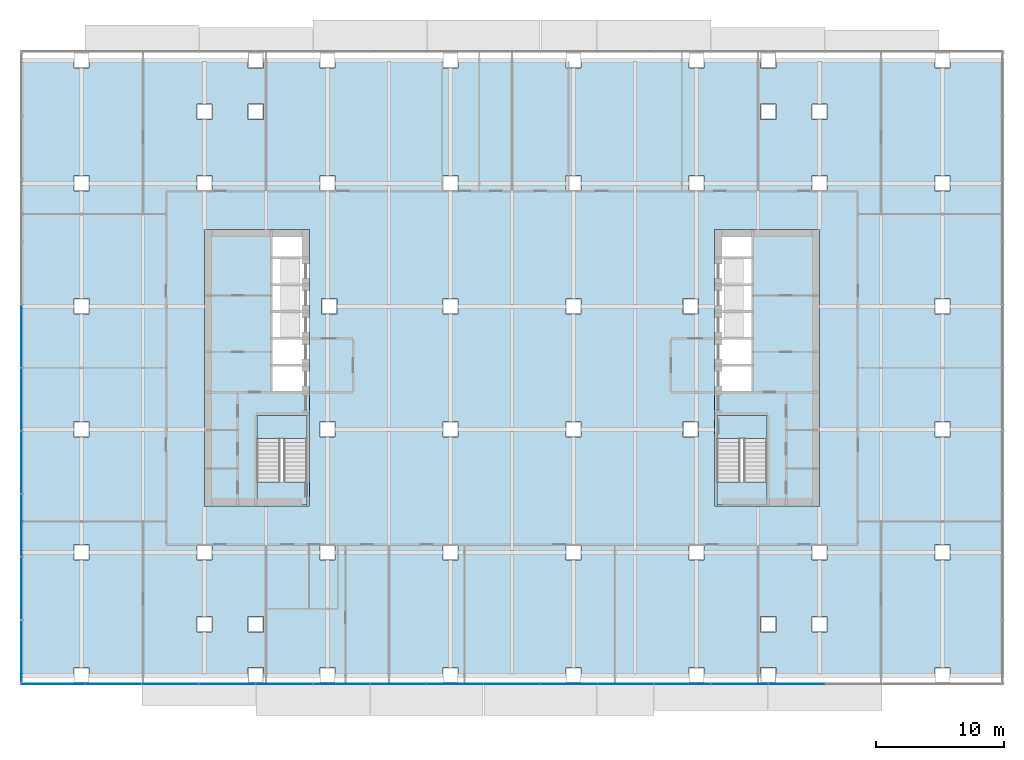
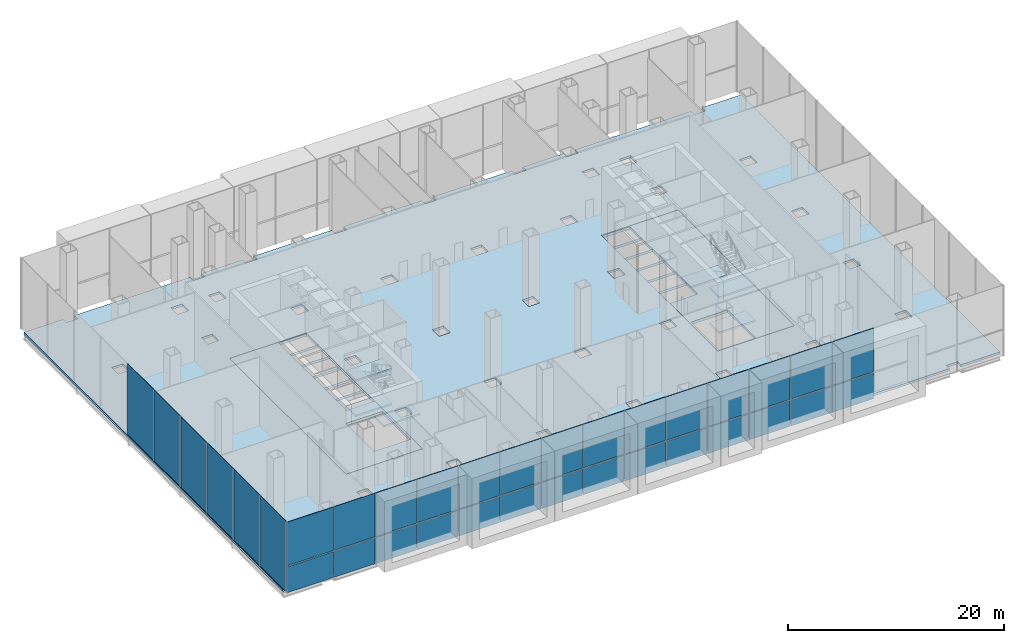
# One storey, part 13 of 24: 34 plates, 9 slabs, 4 elements without a shape of their own.
"""IFC4 building model written with IfcOpenShell, lengths in metres."""

from ifc_helpers import new_model, si_unit, direction, frame, origin, origin_2d, place, context, subcontext, project, spatial, polyline, rectangle, outline, extrude, material, layer, layer_set, type_object, element, aggregate, save


model = new_model("IFC4")

# Units and contexts
model_context = context("Model", 3, precision=1e-05, world=origin(), true_north=direction((0.0, 1.0)))
body_context = subcontext(model_context, "Body", "Model", "MODEL_VIEW")
ifc_project = project(units=[si_unit("LENGTHUNIT", "METRE"), si_unit("AREAUNIT", "SQUARE_METRE"), si_unit("VOLUMEUNIT", "CUBIC_METRE"), si_unit("PLANEANGLEUNIT", "RADIAN"), si_unit("MASSUNIT", "GRAM", prefix="KILO")], contexts=[model_context])

# Site, building, storey
site_placement = place(None, origin())
site = spatial("IfcSite", under=ifc_project, at=site_placement, CompositionType="ELEMENT")
building_placement = place(site_placement, origin())
building = spatial("IfcBuilding", under=site, at=building_placement, Name="Cobrizo Arcos Hotel Tower", CompositionType="ELEMENT")
storey_placement = place(building_placement, frame((0.0, 0.0, 7.5)))
storey = spatial("IfcBuildingStorey", under=building, at=storey_placement, Name="L01", CompositionType="ELEMENT", Elevation=7.5)

# Curtain wall, plates
ifc_material_1 = material(Name="Aluminium 6063-T6 anodised bronze", Category="aluminium")
curtain_wall_type_1 = type_object("IfcCurtainWallType", Name="CW-A guest facade", PredefinedType="NOTDEFINED", material=ifc_material_1)
curtain_wall_1_placement = place(storey_placement, origin())
curtain_wall_1 = element("IfcCurtainWall", 1, at=curtain_wall_1_placement, inside=storey, type_object=curtain_wall_type_1, Name="CW-A L01 S face", PredefinedType="NOTDEFINED")
ifc_material_2 = material(Name="Glass clear laminated low-e", Category="glass")
ifc_layer_1 = layer(ifc_material_2, 0.0400390625)
ifc_layer_set_1 = layer_set([ifc_layer_1], Name="CW-A glass panel")
plate_type_1 = type_object("IfcPlateType", Name="CW-A glass panel", PredefinedType="CURTAIN_PANEL", material=ifc_layer_set_1)
plate_1_placement = place(storey_placement, frame((-35.839111328125, -24.675048828125, 0.0), z_axis=(0.0, 0.0, 1.0), x_axis=(1.0, 0.0, 0.0)))
plate_1 = element("IfcPlate", 2, at=plate_1_placement, type_object=plate_type_1, Name="CW-A glass panel 90", PredefinedType="CURTAIN_PANEL", context=body_context, shape_type="SweptSolid", body=[
    extrude(rectangle(XDim=4.95166015625, YDim=0.0400390625, at=origin_2d()), origin(), (0.0, 0.0, 1.0), 2.93994140625),
])
plate_2_placement = place(storey_placement, frame((-35.839111328125, -24.675048828125, 3.06005859375), z_axis=(0.0, 0.0, 1.0), x_axis=(1.0, 0.0, 0.0)))
plate_2 = element("IfcPlate", 3, at=plate_2_placement, type_object=plate_type_1, Name="CW-A glass panel 90", PredefinedType="CURTAIN_PANEL", context=body_context, shape_type="SweptSolid", body=[
    extrude(rectangle(XDim=4.95166015625, YDim=0.0400390625, at=origin_2d()), origin(), (0.0, 0.0, 1.0), 4.93994140625),
])
plate_3_placement = place(storey_placement, frame((-31.111083984375, -24.675048828125, 0.0), z_axis=(0.0, 0.0, 1.0), x_axis=(1.0, 0.0, 0.0)))
plate_3 = element("IfcPlate", 4, at=plate_3_placement, type_object=plate_type_1, Name="CW-A glass panel 91", PredefinedType="CURTAIN_PANEL", context=body_context, shape_type="SweptSolid", body=[
    extrude(rectangle(XDim=4.384521484375, YDim=0.0400390625, at=origin_2d()), origin(), (0.0, 0.0, 1.0), 2.93994140625),
])
plate_4_placement = place(storey_placement, frame((-31.111083984375, -24.675048828125, 3.06005859375), z_axis=(0.0, 0.0, 1.0), x_axis=(1.0, 0.0, 0.0)))
plate_4 = element("IfcPlate", 5, at=plate_4_placement, type_object=plate_type_1, Name="CW-A glass panel 91", PredefinedType="CURTAIN_PANEL", context=body_context, shape_type="SweptSolid", body=[
    extrude(rectangle(XDim=4.384521484375, YDim=0.0400390625, at=origin_2d()), origin(), (0.0, 0.0, 1.0), 4.93994140625),
])
plate_5_placement = place(storey_placement, frame((-26.666748046875, -24.675048828125, 0.0), z_axis=(0.0, 0.0, 1.0), x_axis=(1.0, 0.0, 0.0)))
plate_5 = element("IfcPlate", 6, at=plate_5_placement, type_object=plate_type_1, Name="CW-A glass panel 92", PredefinedType="CURTAIN_PANEL", context=body_context, shape_type="SweptSolid", body=[
    extrude(rectangle(XDim=4.384521484375, YDim=0.0400390625, at=origin_2d()), origin(), (0.0, 0.0, 1.0), 2.93994140625),
])
plate_6_placement = place(storey_placement, frame((-26.666748046875, -24.675048828125, 3.06005859375), z_axis=(0.0, 0.0, 1.0), x_axis=(1.0, 0.0, 0.0)))
plate_6 = element("IfcPlate", 7, at=plate_6_placement, type_object=plate_type_1, Name="CW-A glass panel 92", PredefinedType="CURTAIN_PANEL", context=body_context, shape_type="SweptSolid", body=[
    extrude(rectangle(XDim=4.384521484375, YDim=0.0400390625, at=origin_2d()), origin(), (0.0, 0.0, 1.0), 4.93994140625),
])
plate_7_placement = place(storey_placement, frame((-22.22216796875, -24.675048828125, 0.0), z_axis=(0.0, 0.0, 1.0), x_axis=(1.0, 0.0, 0.0)))
plate_7 = element("IfcPlate", 8, at=plate_7_placement, type_object=plate_type_1, Name="CW-A glass panel 93", PredefinedType="CURTAIN_PANEL", context=body_context, shape_type="SweptSolid", body=[
    extrude(rectangle(XDim=4.384521484375, YDim=0.0400390625, at=origin_2d()), origin(), (0.0, 0.0, 1.0), 2.93994140625),
])
plate_8_placement = place(storey_placement, frame((-22.22216796875, -24.675048828125, 3.06005859375), z_axis=(0.0, 0.0, 1.0), x_axis=(1.0, 0.0, 0.0)))
plate_8 = element("IfcPlate", 9, at=plate_8_placement, type_object=plate_type_1, Name="CW-A glass panel 93", PredefinedType="CURTAIN_PANEL", context=body_context, shape_type="SweptSolid", body=[
    extrude(rectangle(XDim=4.384521484375, YDim=0.0400390625, at=origin_2d()), origin(), (0.0, 0.0, 1.0), 4.93994140625),
])
plate_9_placement = place(storey_placement, frame((-17.77783203125, -24.675048828125, 0.0), z_axis=(0.0, 0.0, 1.0), x_axis=(1.0, 0.0, 0.0)))
plate_9 = element("IfcPlate", 10, at=plate_9_placement, type_object=plate_type_1, Name="CW-A glass panel 94", PredefinedType="CURTAIN_PANEL", context=body_context, shape_type="SweptSolid", body=[
    extrude(rectangle(XDim=4.384521484375, YDim=0.0400390625, at=origin_2d()), origin(), (0.0, 0.0, 1.0), 2.93994140625),
])
plate_10_placement = place(storey_placement, frame((-17.77783203125, -24.675048828125, 3.06005859375), z_axis=(0.0, 0.0, 1.0), x_axis=(1.0, 0.0, 0.0)))
plate_10 = element("IfcPlate", 11, at=plate_10_placement, type_object=plate_type_1, Name="CW-A glass panel 94", PredefinedType="CURTAIN_PANEL", context=body_context, shape_type="SweptSolid", body=[
    extrude(rectangle(XDim=4.384521484375, YDim=0.0400390625, at=origin_2d()), origin(), (0.0, 0.0, 1.0), 4.93994140625),
])
plate_11_placement = place(storey_placement, frame((-13.333251953125, -24.675048828125, 0.0), z_axis=(0.0, 0.0, 1.0), x_axis=(1.0, 0.0, 0.0)))
plate_11 = element("IfcPlate", 12, at=plate_11_placement, type_object=plate_type_1, Name="CW-A glass panel 95", PredefinedType="CURTAIN_PANEL", context=body_context, shape_type="SweptSolid", body=[
    extrude(rectangle(XDim=4.384521484375, YDim=0.0400390625, at=origin_2d()), origin(), (0.0, 0.0, 1.0), 2.93994140625),
])
plate_12_placement = place(storey_placement, frame((-13.333251953125, -24.675048828125, 3.06005859375), z_axis=(0.0, 0.0, 1.0), x_axis=(1.0, 0.0, 0.0)))
plate_12 = element("IfcPlate", 13, at=plate_12_placement, type_object=plate_type_1, Name="CW-A glass panel 95", PredefinedType="CURTAIN_PANEL", context=body_context, shape_type="SweptSolid", body=[
    extrude(rectangle(XDim=4.384521484375, YDim=0.0400390625, at=origin_2d()), origin(), (0.0, 0.0, 1.0), 4.93994140625),
])
plate_13_placement = place(storey_placement, frame((-8.888916015625, -24.675048828125, 0.0), z_axis=(0.0, 0.0, 1.0), x_axis=(1.0, 0.0, 0.0)))
plate_13 = element("IfcPlate", 14, at=plate_13_placement, type_object=plate_type_1, Name="CW-A glass panel 96", PredefinedType="CURTAIN_PANEL", context=body_context, shape_type="SweptSolid", body=[
    extrude(rectangle(XDim=4.384521484375, YDim=0.0400390625, at=origin_2d()), origin(), (0.0, 0.0, 1.0), 2.93994140625),
])
plate_14_placement = place(storey_placement, frame((-8.888916015625, -24.675048828125, 3.06005859375), z_axis=(0.0, 0.0, 1.0), x_axis=(1.0, 0.0, 0.0)))
plate_14 = element("IfcPlate", 15, at=plate_14_placement, type_object=plate_type_1, Name="CW-A glass panel 96", PredefinedType="CURTAIN_PANEL", context=body_context, shape_type="SweptSolid", body=[
    extrude(rectangle(XDim=4.384521484375, YDim=0.0400390625, at=origin_2d()), origin(), (0.0, 0.0, 1.0), 4.93994140625),
])
plate_15_placement = place(storey_placement, frame((-4.4443359375, -24.675048828125, 0.0), z_axis=(0.0, 0.0, 1.0), x_axis=(1.0, 0.0, 0.0)))
plate_15 = element("IfcPlate", 16, at=plate_15_placement, type_object=plate_type_1, Name="CW-A glass panel 97", PredefinedType="CURTAIN_PANEL", context=body_context, shape_type="SweptSolid", body=[
    extrude(rectangle(XDim=4.384521484375, YDim=0.0400390625, at=origin_2d()), origin(), (0.0, 0.0, 1.0), 2.93994140625),
])
plate_16_placement = place(storey_placement, frame((-4.4443359375, -24.675048828125, 3.06005859375), z_axis=(0.0, 0.0, 1.0), x_axis=(1.0, 0.0, 0.0)))
plate_16 = element("IfcPlate", 17, at=plate_16_placement, type_object=plate_type_1, Name="CW-A glass panel 97", PredefinedType="CURTAIN_PANEL", context=body_context, shape_type="SweptSolid", body=[
    extrude(rectangle(XDim=4.384521484375, YDim=0.0400390625, at=origin_2d()), origin(), (0.0, 0.0, 1.0), 4.93994140625),
])
plate_17_placement = place(storey_placement, frame((0.0, -24.675048828125, 0.0), z_axis=(0.0, 0.0, 1.0), x_axis=(1.0, 0.0, 0.0)))
plate_17 = element("IfcPlate", 18, at=plate_17_placement, type_object=plate_type_1, Name="CW-A glass panel 98", PredefinedType="CURTAIN_PANEL", context=body_context, shape_type="SweptSolid", body=[
    extrude(rectangle(XDim=4.384521484375, YDim=0.0400390625, at=origin_2d()), origin(), (0.0, 0.0, 1.0), 2.93994140625),
])
plate_18_placement = place(storey_placement, frame((0.0, -24.675048828125, 3.06005859375), z_axis=(0.0, 0.0, 1.0), x_axis=(1.0, 0.0, 0.0)))
plate_18 = element("IfcPlate", 19, at=plate_18_placement, type_object=plate_type_1, Name="CW-A glass panel 98", PredefinedType="CURTAIN_PANEL", context=body_context, shape_type="SweptSolid", body=[
    extrude(rectangle(XDim=4.384521484375, YDim=0.0400390625, at=origin_2d()), origin(), (0.0, 0.0, 1.0), 4.93994140625),
])
plate_19_placement = place(storey_placement, frame((4.4443359375, -24.675048828125, 0.0), z_axis=(0.0, 0.0, 1.0), x_axis=(1.0, 0.0, 0.0)))
plate_19 = element("IfcPlate", 20, at=plate_19_placement, type_object=plate_type_1, Name="CW-A glass panel 99", PredefinedType="CURTAIN_PANEL", context=body_context, shape_type="SweptSolid", body=[
    extrude(rectangle(XDim=4.384521484375, YDim=0.0400390625, at=origin_2d()), origin(), (0.0, 0.0, 1.0), 2.93994140625),
])
plate_20_placement = place(storey_placement, frame((4.4443359375, -24.675048828125, 3.06005859375), z_axis=(0.0, 0.0, 1.0), x_axis=(1.0, 0.0, 0.0)))
plate_20 = element("IfcPlate", 21, at=plate_20_placement, type_object=plate_type_1, Name="CW-A glass panel 99", PredefinedType="CURTAIN_PANEL", context=body_context, shape_type="SweptSolid", body=[
    extrude(rectangle(XDim=4.384521484375, YDim=0.0400390625, at=origin_2d()), origin(), (0.0, 0.0, 1.0), 4.93994140625),
])
plate_21_placement = place(storey_placement, frame((8.888916015625, -24.675048828125, 0.0), z_axis=(0.0, 0.0, 1.0), x_axis=(1.0, 0.0, 0.0)))
plate_21 = element("IfcPlate", 22, at=plate_21_placement, type_object=plate_type_1, Name="CW-A glass panel 100", PredefinedType="CURTAIN_PANEL", context=body_context, shape_type="SweptSolid", body=[
    extrude(rectangle(XDim=4.384521484375, YDim=0.0400390625, at=origin_2d()), origin(), (0.0, 0.0, 1.0), 2.93994140625),
])
plate_22_placement = place(storey_placement, frame((8.888916015625, -24.675048828125, 3.06005859375), z_axis=(0.0, 0.0, 1.0), x_axis=(1.0, 0.0, 0.0)))
plate_22 = element("IfcPlate", 23, at=plate_22_placement, type_object=plate_type_1, Name="CW-A glass panel 100", PredefinedType="CURTAIN_PANEL", context=body_context, shape_type="SweptSolid", body=[
    extrude(rectangle(XDim=4.384521484375, YDim=0.0400390625, at=origin_2d()), origin(), (0.0, 0.0, 1.0), 4.93994140625),
])
plate_23_placement = place(storey_placement, frame((13.333251953125, -24.675048828125, 0.0), z_axis=(0.0, 0.0, 1.0), x_axis=(1.0, 0.0, 0.0)))
plate_23 = element("IfcPlate", 24, at=plate_23_placement, type_object=plate_type_1, Name="CW-A glass panel 101", PredefinedType="CURTAIN_PANEL", context=body_context, shape_type="SweptSolid", body=[
    extrude(rectangle(XDim=4.384521484375, YDim=0.0400390625, at=origin_2d()), origin(), (0.0, 0.0, 1.0), 2.93994140625),
])
plate_24_placement = place(storey_placement, frame((13.333251953125, -24.675048828125, 3.06005859375), z_axis=(0.0, 0.0, 1.0), x_axis=(1.0, 0.0, 0.0)))
plate_24 = element("IfcPlate", 25, at=plate_24_placement, type_object=plate_type_1, Name="CW-A glass panel 101", PredefinedType="CURTAIN_PANEL", context=body_context, shape_type="SweptSolid", body=[
    extrude(rectangle(XDim=4.384521484375, YDim=0.0400390625, at=origin_2d()), origin(), (0.0, 0.0, 1.0), 4.93994140625),
])
plate_25_placement = place(storey_placement, frame((17.77783203125, -24.675048828125, 0.0), z_axis=(0.0, 0.0, 1.0), x_axis=(1.0, 0.0, 0.0)))
plate_25 = element("IfcPlate", 26, at=plate_25_placement, type_object=plate_type_1, Name="CW-A glass panel 102", PredefinedType="CURTAIN_PANEL", context=body_context, shape_type="SweptSolid", body=[
    extrude(rectangle(XDim=4.384521484375, YDim=0.0400390625, at=origin_2d()), origin(), (0.0, 0.0, 1.0), 2.93994140625),
])
plate_26_placement = place(storey_placement, frame((17.77783203125, -24.675048828125, 3.06005859375), z_axis=(0.0, 0.0, 1.0), x_axis=(1.0, 0.0, 0.0)))
plate_26 = element("IfcPlate", 27, at=plate_26_placement, type_object=plate_type_1, Name="CW-A glass panel 102", PredefinedType="CURTAIN_PANEL", context=body_context, shape_type="SweptSolid", body=[
    extrude(rectangle(XDim=4.384521484375, YDim=0.0400390625, at=origin_2d()), origin(), (0.0, 0.0, 1.0), 4.93994140625),
])
plate_27_placement = place(storey_placement, frame((22.22216796875, -24.675048828125, 0.0), z_axis=(0.0, 0.0, 1.0), x_axis=(1.0, 0.0, 0.0)))
plate_27 = element("IfcPlate", 28, at=plate_27_placement, type_object=plate_type_1, Name="CW-A glass panel 103", PredefinedType="CURTAIN_PANEL", context=body_context, shape_type="SweptSolid", body=[
    extrude(rectangle(XDim=4.384521484375, YDim=0.0400390625, at=origin_2d()), origin(), (0.0, 0.0, 1.0), 2.93994140625),
])
plate_28_placement = place(storey_placement, frame((22.22216796875, -24.675048828125, 3.06005859375), z_axis=(0.0, 0.0, 1.0), x_axis=(1.0, 0.0, 0.0)))
plate_28 = element("IfcPlate", 29, at=plate_28_placement, type_object=plate_type_1, Name="CW-A glass panel 103", PredefinedType="CURTAIN_PANEL", context=body_context, shape_type="SweptSolid", body=[
    extrude(rectangle(XDim=4.384521484375, YDim=0.0400390625, at=origin_2d()), origin(), (0.0, 0.0, 1.0), 4.93994140625),
])
aggregate(curtain_wall_1, [plate_1, plate_2, plate_3, plate_4, plate_5, plate_6, plate_7, plate_8, plate_9, plate_10, plate_11, plate_12, plate_13, plate_14, plate_15, plate_16, plate_17, plate_18, plate_19, plate_20, plate_21, plate_22, plate_23, plate_24, plate_25, plate_26, plate_27, plate_28])

curtain_wall_type_2 = type_object("IfcCurtainWallType", Name="CW-B podium glazing", PredefinedType="NOTDEFINED", material=ifc_material_1)
curtain_wall_2_placement = place(storey_placement, origin())
curtain_wall_2 = element("IfcCurtainWall", 30, at=curtain_wall_2_placement, inside=storey, type_object=curtain_wall_type_2, Name="CW-B L01 W face", PredefinedType="NOTDEFINED")
ifc_material_3 = material(Name="Aluminium composite panel pale metal", Category="aluminium")
ifc_layer_2 = layer(ifc_material_3, 0.06005859375)
ifc_layer_set_2 = layer_set([ifc_layer_2], Name="CW-B spandrel panel")
plate_type_2 = type_object("IfcPlateType", Name="CW-B spandrel panel", PredefinedType="CURTAIN_PANEL", material=ifc_layer_set_2)
plate_29_placement = place(storey_placement, frame((-38.300048828125, 2.4599609375, 0.0), z_axis=(0.0, 0.0, 1.0), x_axis=(0.0, -1.0, 0.0)))
plate_29 = element("IfcPlate", 31, at=plate_29_placement, type_object=plate_type_2, Name="CW-B spandrel panel 84", PredefinedType="CURTAIN_PANEL", context=body_context, shape_type="SweptSolid", body=[
    extrude(rectangle(XDim=4.840087890625, YDim=0.0400390625, at=origin_2d()), origin(), (0.0, 0.0, 1.0), 8.0),
])
plate_30_placement = place(storey_placement, frame((-38.300048828125, -2.4599609375, 0.0), z_axis=(0.0, 0.0, 1.0), x_axis=(0.0, -1.0, 0.0)))
plate_30 = element("IfcPlate", 32, at=plate_30_placement, type_object=plate_type_2, Name="CW-B spandrel panel 85", PredefinedType="CURTAIN_PANEL", context=body_context, shape_type="SweptSolid", body=[
    extrude(rectangle(XDim=4.840087890625, YDim=0.0400390625, at=origin_2d()), origin(), (0.0, 0.0, 1.0), 8.0),
])
plate_31_placement = place(storey_placement, frame((-38.300048828125, -7.3798828125, 0.0), z_axis=(0.0, 0.0, 1.0), x_axis=(0.0, -1.0, 0.0)))
plate_31 = element("IfcPlate", 33, at=plate_31_placement, type_object=plate_type_2, Name="CW-B spandrel panel 86", PredefinedType="CURTAIN_PANEL", context=body_context, shape_type="SweptSolid", body=[
    extrude(rectangle(XDim=4.840087890625, YDim=0.0400390625, at=origin_2d()), origin(), (0.0, 0.0, 1.0), 8.0),
])
plate_32_placement = place(storey_placement, frame((-38.300048828125, -12.300048828125, 0.0), z_axis=(0.0, 0.0, 1.0), x_axis=(0.0, -1.0, 0.0)))
plate_32 = element("IfcPlate", 34, at=plate_32_placement, type_object=plate_type_2, Name="CW-B spandrel panel 87", PredefinedType="CURTAIN_PANEL", context=body_context, shape_type="SweptSolid", body=[
    extrude(rectangle(XDim=4.840087890625, YDim=0.0400390625, at=origin_2d()), origin(), (0.0, 0.0, 1.0), 8.0),
])
plate_33_placement = place(storey_placement, frame((-38.300048828125, -17.219970703125, 0.0), z_axis=(0.0, 0.0, 1.0), x_axis=(0.0, -1.0, 0.0)))
plate_33 = element("IfcPlate", 35, at=plate_33_placement, type_object=plate_type_2, Name="CW-B spandrel panel 88", PredefinedType="CURTAIN_PANEL", context=body_context, shape_type="SweptSolid", body=[
    extrude(rectangle(XDim=4.840087890625, YDim=0.0400390625, at=origin_2d()), origin(), (0.0, 0.0, 1.0), 8.0),
])
plate_34_placement = place(storey_placement, frame((-38.300048828125, -22.1201171875, 0.0), z_axis=(0.0, 0.0, 1.0), x_axis=(0.0, -1.0, 0.0)))
plate_34 = element("IfcPlate", 36, at=plate_34_placement, type_object=plate_type_2, Name="CW-B spandrel panel 89", PredefinedType="CURTAIN_PANEL", context=body_context, shape_type="SweptSolid", body=[
    extrude(rectangle(XDim=4.800048828125, YDim=0.0400390625, at=origin_2d()), origin(), (0.0, 0.0, 1.0), 8.0),
])
aggregate(curtain_wall_2, [plate_29, plate_30, plate_31, plate_32, plate_33, plate_34])

# Slabs
ifc_material_4 = material(Name="Concrete f'c 35 MPa", Category="concrete")
ifc_layer_3 = layer(ifc_material_4, 0.25)
ifc_layer_set_3 = layer_set([ifc_layer_3], Name="Composite floor slab 250 f'c 35")
slab_type_1 = type_object("IfcSlabType", Name="Composite floor slab 250 f'c 35", PredefinedType="FLOOR", material=ifc_layer_set_3)
slab_1_placement = place(storey_placement, frame((0.0, 0.0, -0.25)))
element("IfcSlab", 37, at=slab_1_placement, inside=storey, type_object=slab_type_1, Name="Floor slab S3, L01, no. 01", PredefinedType="FLOOR", context=body_context, shape_type="SweptSolid", body=[
    extrude(outline(polyline([(38.39990234375, 24.0), (38.39990234375, -24.0), (34.199951171875, -24.0), (34.199951171875, -23.39990234375), (33.0, -23.39990234375), (33.0, -24.0), (20.60009765625, -24.0), (20.60009765625, -23.39990234375), (19.39990234375, -23.39990234375), (19.39990234375, -24.0), (15.0, -24.0), (15.0, -23.39990234375), (13.800048828125, -23.39990234375), (13.800048828125, -24.0), (5.39990234375, -24.0), (5.39990234375, -23.39990234375), (4.199951171875, -23.39990234375), (4.199951171875, -24.0), (-4.199951171875, -24.0), (-4.199951171875, -23.39990234375), (-5.39990234375, -23.39990234375), (-5.39990234375, -24.0), (-13.800048828125, -24.0), (-13.800048828125, -23.39990234375), (-15.0, -23.39990234375), (-15.0, -24.0), (-19.39990234375, -24.0), (-19.39990234375, -23.39990234375), (-20.60009765625, -23.39990234375), (-20.60009765625, -24.0), (-33.0, -24.0), (-33.0, -23.39990234375), (-34.199951171875, -23.39990234375), (-34.199951171875, -24.0), (-38.39990234375, -24.0), (-38.39990234375, 24.0), (-34.199951171875, 24.0), (-34.199951171875, 23.39990234375), (-33.0, 23.39990234375), (-33.0, 24.0), (-20.60009765625, 24.0), (-20.60009765625, 23.39990234375), (-19.39990234375, 23.39990234375), (-19.39990234375, 24.0), (-15.0, 24.0), (-15.0, 23.39990234375), (-13.800048828125, 23.39990234375), (-13.800048828125, 24.0), (-5.39990234375, 24.0), (-5.39990234375, 23.39990234375), (-4.199951171875, 23.39990234375), (-4.199951171875, 24.0), (4.199951171875, 24.0), (4.199951171875, 23.39990234375), (5.39990234375, 23.39990234375), (5.39990234375, 24.0), (13.800048828125, 24.0), (13.800048828125, 23.39990234375), (15.0, 23.39990234375), (15.0, 24.0), (19.39990234375, 24.0), (19.39990234375, 23.39990234375), (20.60009765625, 23.39990234375), (20.60009765625, 24.0), (33.0, 24.0), (33.0, 23.39990234375), (34.199951171875, 23.39990234375), (34.199951171875, 24.0), (38.39990234375, 24.0)]), holes=[polyline([(-20.60009765625, -20.60009765625), (-19.39990234375, -20.60009765625), (-19.39990234375, -19.39990234375), (-20.60009765625, -19.39990234375), (-20.60009765625, -20.60009765625)]), polyline([(-23.39990234375, -20.60009765625), (-23.39990234375, -19.39990234375), (-24.60009765625, -19.39990234375), (-24.60009765625, -20.60009765625), (-23.39990234375, -20.60009765625)]), polyline([(-34.199951171875, -15.0), (-33.0, -15.0), (-33.0, -13.800048828125), (-34.199951171875, -13.800048828125), (-34.199951171875, -15.0)]), polyline([(-15.0, -15.0), (-13.800048828125, -15.0), (-13.800048828125, -13.800048828125), (-15.0, -13.800048828125), (-15.0, -15.0)]), polyline([(-23.39990234375, -15.0), (-23.39990234375, -13.800048828125), (-24.60009765625, -13.800048828125), (-24.60009765625, -15.0), (-23.39990234375, -15.0)]), polyline([(-15.0, -5.39990234375), (-13.800048828125, -5.39990234375), (-13.800048828125, -4.199951171875), (-15.0, -4.199951171875), (-15.0, -5.39990234375)]), polyline([(-34.199951171875, -5.39990234375), (-33.0, -5.39990234375), (-33.0, -4.199951171875), (-34.199951171875, -4.199951171875), (-34.199951171875, -5.39990234375)]), polyline([(-24.0, -10.800048828125), (-15.800048828125, -10.800048828125), (-15.800048828125, 10.800048828125), (-24.0, 10.800048828125), (-24.0, -10.800048828125)]), polyline([(-34.199951171875, 4.199951171875), (-33.0, 4.199951171875), (-33.0, 5.39990234375), (-34.199951171875, 5.39990234375), (-34.199951171875, 4.199951171875)]), polyline([(-24.60009765625, 13.800048828125), (-23.39990234375, 13.800048828125), (-23.39990234375, 15.0), (-24.60009765625, 15.0), (-24.60009765625, 13.800048828125)]), polyline([(-34.199951171875, 13.800048828125), (-33.0, 13.800048828125), (-33.0, 15.0), (-34.199951171875, 15.0), (-34.199951171875, 13.800048828125)]), polyline([(-13.800048828125, 13.800048828125), (-13.800048828125, 15.0), (-15.0, 15.0), (-15.0, 13.800048828125), (-13.800048828125, 13.800048828125)]), polyline([(-24.60009765625, 19.39990234375), (-23.39990234375, 19.39990234375), (-23.39990234375, 20.60009765625), (-24.60009765625, 20.60009765625), (-24.60009765625, 19.39990234375)]), polyline([(-20.60009765625, 19.39990234375), (-19.39990234375, 19.39990234375), (-19.39990234375, 20.60009765625), (-20.60009765625, 20.60009765625), (-20.60009765625, 19.39990234375)]), polyline([(13.800048828125, -15.0), (15.0, -15.0), (15.0, -13.800048828125), (13.800048828125, -13.800048828125), (13.800048828125, -15.0)]), polyline([(4.199951171875, -15.0), (5.39990234375, -15.0), (5.39990234375, -13.800048828125), (4.199951171875, -13.800048828125), (4.199951171875, -15.0)]), polyline([(-5.39990234375, -15.0), (-4.199951171875, -15.0), (-4.199951171875, -13.800048828125), (-5.39990234375, -13.800048828125), (-5.39990234375, -15.0)]), polyline([(-5.39990234375, -5.39990234375), (-4.199951171875, -5.39990234375), (-4.199951171875, -4.199951171875), (-5.39990234375, -4.199951171875), (-5.39990234375, -5.39990234375)]), polyline([(4.199951171875, -5.39990234375), (5.39990234375, -5.39990234375), (5.39990234375, -4.199951171875), (4.199951171875, -4.199951171875), (4.199951171875, -5.39990234375)]), polyline([(13.340087890625, -5.39990234375), (14.5400390625, -5.39990234375), (14.5400390625, -4.199951171875), (13.340087890625, -4.199951171875), (13.340087890625, -5.39990234375)]), polyline([(-4.199951171875, 4.199951171875), (-4.199951171875, 5.39990234375), (-5.39990234375, 5.39990234375), (-5.39990234375, 4.199951171875), (-4.199951171875, 4.199951171875)]), polyline([(4.199951171875, 4.199951171875), (5.39990234375, 4.199951171875), (5.39990234375, 5.39990234375), (4.199951171875, 5.39990234375), (4.199951171875, 4.199951171875)]), polyline([(-14.85009765625, 4.199951171875), (-13.64990234375, 4.199951171875), (-13.64990234375, 5.39990234375), (-14.85009765625, 5.39990234375), (-14.85009765625, 4.199951171875)]), polyline([(14.5400390625, 4.199951171875), (14.5400390625, 5.39990234375), (13.340087890625, 5.39990234375), (13.340087890625, 4.199951171875), (14.5400390625, 4.199951171875)]), polyline([(-5.39990234375, 13.800048828125), (-4.199951171875, 13.800048828125), (-4.199951171875, 15.0), (-5.39990234375, 15.0), (-5.39990234375, 13.800048828125)]), polyline([(4.199951171875, 13.800048828125), (5.39990234375, 13.800048828125), (5.39990234375, 15.0), (4.199951171875, 15.0), (4.199951171875, 13.800048828125)]), polyline([(23.39990234375, -20.60009765625), (24.60009765625, -20.60009765625), (24.60009765625, -19.39990234375), (23.39990234375, -19.39990234375), (23.39990234375, -20.60009765625)]), polyline([(20.60009765625, -20.60009765625), (20.60009765625, -19.39990234375), (19.39990234375, -19.39990234375), (19.39990234375, -20.60009765625), (20.60009765625, -20.60009765625)]), polyline([(23.39990234375, -15.0), (24.60009765625, -15.0), (24.60009765625, -13.800048828125), (23.39990234375, -13.800048828125), (23.39990234375, -15.0)]), polyline([(33.0, -15.0), (34.199951171875, -15.0), (34.199951171875, -13.800048828125), (33.0, -13.800048828125), (33.0, -15.0)]), polyline([(33.0, -5.39990234375), (34.199951171875, -5.39990234375), (34.199951171875, -4.199951171875), (33.0, -4.199951171875), (33.0, -5.39990234375)]), polyline([(15.800048828125, -10.800048828125), (24.0, -10.800048828125), (24.0, 10.800048828125), (15.800048828125, 10.800048828125), (15.800048828125, -10.800048828125)]), polyline([(33.0, 4.199951171875), (34.199951171875, 4.199951171875), (34.199951171875, 5.39990234375), (33.0, 5.39990234375), (33.0, 4.199951171875)]), polyline([(13.800048828125, 13.800048828125), (15.0, 13.800048828125), (15.0, 15.0), (13.800048828125, 15.0), (13.800048828125, 13.800048828125)]), polyline([(24.60009765625, 13.800048828125), (24.60009765625, 15.0), (23.39990234375, 15.0), (23.39990234375, 13.800048828125), (24.60009765625, 13.800048828125)]), polyline([(33.0, 13.800048828125), (34.199951171875, 13.800048828125), (34.199951171875, 15.0), (33.0, 15.0), (33.0, 13.800048828125)]), polyline([(19.39990234375, 19.39990234375), (20.60009765625, 19.39990234375), (20.60009765625, 20.60009765625), (19.39990234375, 20.60009765625), (19.39990234375, 19.39990234375)]), polyline([(23.39990234375, 19.39990234375), (24.60009765625, 19.39990234375), (24.60009765625, 20.60009765625), (23.39990234375, 20.60009765625), (23.39990234375, 19.39990234375)])]), origin(), (0.0, 0.0, 1.0), 0.25),
])
ifc_material_5 = material(Name="Concrete f'c 60 MPa", Category="concrete")
ifc_layer_4 = layer(ifc_material_5, 0.300048828125)
ifc_layer_set_4 = layer_set([ifc_layer_4], Name="RC core floor slab 300 f'c 60")
slab_type_2 = type_object("IfcSlabType", Name="RC core floor slab 300 f'c 60", PredefinedType="FLOOR", material=ifc_layer_set_4)
slab_2_placement = place(storey_placement, frame((0.0, 0.0, -0.300048828125)))
element("IfcSlab", 38, at=slab_2_placement, inside=storey, type_object=slab_type_2, Name="Core floor slab CS2, east core, L01", PredefinedType="FLOOR", context=body_context, shape_type="SweptSolid", body=[
    extrude(outline(polyline([(15.800048828125, 10.800048828125), (24.0, 10.800048828125), (24.0, -10.800048828125), (15.800048828125, -10.800048828125), (15.800048828125, 10.800048828125)]), holes=[polyline([(19.89794921875, -10.697998046875), (19.89794921875, -5.501953125), (16.001953125, -5.501953125), (16.001953125, -10.697998046875), (19.89794921875, -10.697998046875)]), polyline([(15.802001953125, 0.197998046875), (15.802001953125, -1.89794921875), (18.798095703125, -1.89794921875), (18.798095703125, 0.197998046875), (15.802001953125, 0.197998046875)]), polyline([(18.798095703125, 2.298095703125), (15.802001953125, 2.298095703125), (15.802001953125, 0.201904296875), (18.798095703125, 0.201904296875), (18.798095703125, 2.298095703125)]), polyline([(18.798095703125, 4.39794921875), (15.802001953125, 4.39794921875), (15.802001953125, 2.302001953125), (18.798095703125, 2.302001953125), (18.798095703125, 4.39794921875)]), polyline([(15.802001953125, 6.498046875), (15.802001953125, 4.402099609375), (18.798095703125, 4.402099609375), (18.798095703125, 6.498046875), (15.802001953125, 6.498046875)]), polyline([(18.798095703125, 8.597900390625), (15.802001953125, 8.597900390625), (15.802001953125, 6.501953125), (18.798095703125, 6.501953125), (18.798095703125, 8.597900390625)]), polyline([(18.798095703125, 10.697998046875), (15.802001953125, 10.697998046875), (15.802001953125, 8.60205078125), (18.798095703125, 8.60205078125), (18.798095703125, 10.697998046875)])]), origin(), (0.0, 0.0, 1.0), 0.300048828125),
])
slab_3_placement = place(storey_placement, frame((0.0, 0.0, -0.300048828125)))
element("IfcSlab", 39, at=slab_3_placement, inside=storey, type_object=slab_type_2, Name="Core floor slab CS2, west core, L01", PredefinedType="FLOOR", context=body_context, shape_type="SweptSolid", body=[
    extrude(outline(polyline([(-24.0, 10.800048828125), (-15.800048828125, 10.800048828125), (-15.800048828125, -10.800048828125), (-24.0, -10.800048828125), (-24.0, 10.800048828125)]), holes=[polyline([(-19.89794921875, -3.701904296875), (-19.89794921875, -8.89794921875), (-16.001953125, -8.89794921875), (-16.001953125, -3.701904296875), (-19.89794921875, -3.701904296875)]), polyline([(-18.798095703125, 0.197998046875), (-18.798095703125, -1.89794921875), (-15.802001953125, -1.89794921875), (-15.802001953125, 0.197998046875), (-18.798095703125, 0.197998046875)]), polyline([(-15.802001953125, 2.298095703125), (-18.798095703125, 2.298095703125), (-18.798095703125, 0.201904296875), (-15.802001953125, 0.201904296875), (-15.802001953125, 2.298095703125)]), polyline([(-15.802001953125, 4.39794921875), (-18.798095703125, 4.39794921875), (-18.798095703125, 2.302001953125), (-15.802001953125, 2.302001953125), (-15.802001953125, 4.39794921875)]), polyline([(-18.798095703125, 6.498046875), (-18.798095703125, 4.402099609375), (-15.802001953125, 4.402099609375), (-15.802001953125, 6.498046875), (-18.798095703125, 6.498046875)]), polyline([(-15.802001953125, 8.597900390625), (-18.798095703125, 8.597900390625), (-18.798095703125, 6.501953125), (-15.802001953125, 6.501953125), (-15.802001953125, 8.597900390625)]), polyline([(-15.802001953125, 10.697998046875), (-18.798095703125, 10.697998046875), (-18.798095703125, 8.60205078125), (-15.802001953125, 8.60205078125), (-15.802001953125, 10.697998046875)])]), origin(), (0.0, 0.0, 1.0), 0.300048828125),
])

# Stair, slabs
ifc_material_6 = material(Name="Concrete f'c 40 MPa", Category="concrete")
stair_type = type_object("IfcStairType", Name="Exit stair", PredefinedType="HALF_TURN_STAIR", material=ifc_material_6)
stair_1_placement = place(storey_placement, origin())
stair_1 = element("IfcStair", 40, at=stair_1_placement, inside=storey, type_object=stair_type, Name="L01 Exit stair ST-W", PredefinedType="HALF_TURN_STAIR")
ifc_layer_5 = layer(ifc_material_6, 0.199951171875)
ifc_layer_set_5 = layer_set([ifc_layer_5], Name="Stair landing")
slab_type_3 = type_object("IfcSlabType", Name="Stair landing", PredefinedType="LANDING", material=ifc_layer_set_5)
slab_4_placement = place(storey_placement, frame((0.0, 0.0, 1.800048828125)))
slab_4 = element("IfcSlab", 41, at=slab_4_placement, type_object=slab_type_3, Name="ST-W landing 1", PredefinedType="LANDING", context=body_context, shape_type="SweptSolid", body=[
    extrude(outline(polyline([(-16.0, -5.5), (-16.0, -3.699951171875), (-19.89990234375, -3.699951171875), (-19.89990234375, -5.5), (-16.0, -5.5)])), origin(), (0.0, 0.0, 1.0), 0.199951171875),
])
slab_5_placement = place(storey_placement, frame((0.0, 0.0, 3.800048828125)))
slab_5 = element("IfcSlab", 42, at=slab_5_placement, type_object=slab_type_3, Name="ST-W landing 2", PredefinedType="LANDING", context=body_context, shape_type="SweptSolid", body=[
    extrude(outline(polyline([(-16.0, -10.699951171875), (-16.0, -8.89990234375), (-19.89990234375, -8.89990234375), (-19.89990234375, -10.699951171875), (-16.0, -10.699951171875)])), origin(), (0.0, 0.0, 1.0), 0.199951171875),
])
slab_6_placement = place(storey_placement, frame((0.0, 0.0, 5.800048828125)))
slab_6 = element("IfcSlab", 43, at=slab_6_placement, type_object=slab_type_3, Name="ST-W landing 3", PredefinedType="LANDING", context=body_context, shape_type="SweptSolid", body=[
    extrude(outline(polyline([(-16.0, -5.5), (-16.0, -3.699951171875), (-19.89990234375, -3.699951171875), (-19.89990234375, -5.5), (-16.0, -5.5)])), origin(), (0.0, 0.0, 1.0), 0.199951171875),
])
aggregate(stair_1, [slab_4, slab_5, slab_6])

stair_2_placement = place(storey_placement, origin())
stair_2 = element("IfcStair", 44, at=stair_2_placement, inside=storey, type_object=stair_type, Name="L01 Exit stair ST-E", PredefinedType="HALF_TURN_STAIR")
slab_7_placement = place(storey_placement, frame((0.0, 0.0, 1.800048828125)))
slab_7 = element("IfcSlab", 45, at=slab_7_placement, type_object=slab_type_3, Name="ST-E landing 1", PredefinedType="LANDING", context=body_context, shape_type="SweptSolid", body=[
    extrude(outline(polyline([(16.0, -8.89990234375), (16.0, -10.699951171875), (19.89990234375, -10.699951171875), (19.89990234375, -8.89990234375), (16.0, -8.89990234375)])), origin(), (0.0, 0.0, 1.0), 0.199951171875),
])
slab_8_placement = place(storey_placement, frame((0.0, 0.0, 3.800048828125)))
slab_8 = element("IfcSlab", 46, at=slab_8_placement, type_object=slab_type_3, Name="ST-E landing 2", PredefinedType="LANDING", context=body_context, shape_type="SweptSolid", body=[
    extrude(outline(polyline([(16.0, -3.699951171875), (16.0, -5.5), (19.89990234375, -5.5), (19.89990234375, -3.699951171875), (16.0, -3.699951171875)])), origin(), (0.0, 0.0, 1.0), 0.199951171875),
])
slab_9_placement = place(storey_placement, frame((0.0, 0.0, 5.800048828125)))
slab_9 = element("IfcSlab", 47, at=slab_9_placement, type_object=slab_type_3, Name="ST-E landing 3", PredefinedType="LANDING", context=body_context, shape_type="SweptSolid", body=[
    extrude(outline(polyline([(16.0, -8.89990234375), (16.0, -10.699951171875), (19.89990234375, -10.699951171875), (19.89990234375, -8.89990234375), (16.0, -8.89990234375)])), origin(), (0.0, 0.0, 1.0), 0.199951171875),
])
aggregate(stair_2, [slab_7, slab_8, slab_9])

save(model, "model.ifc")
